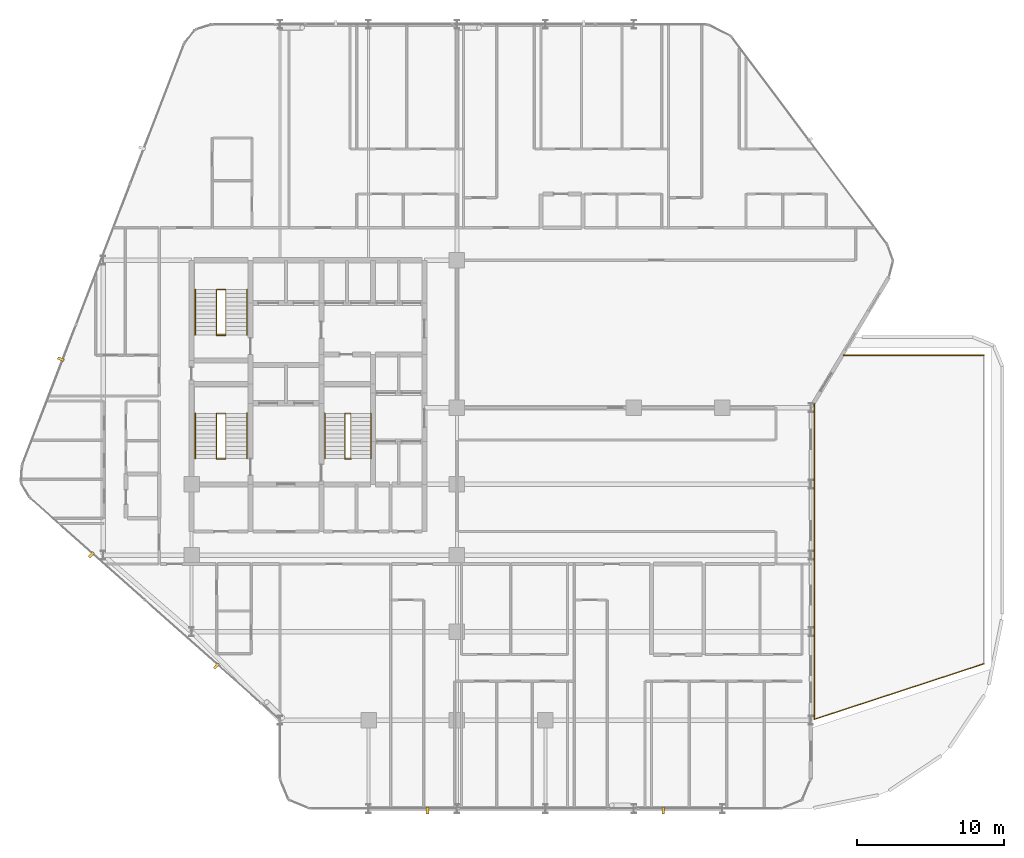
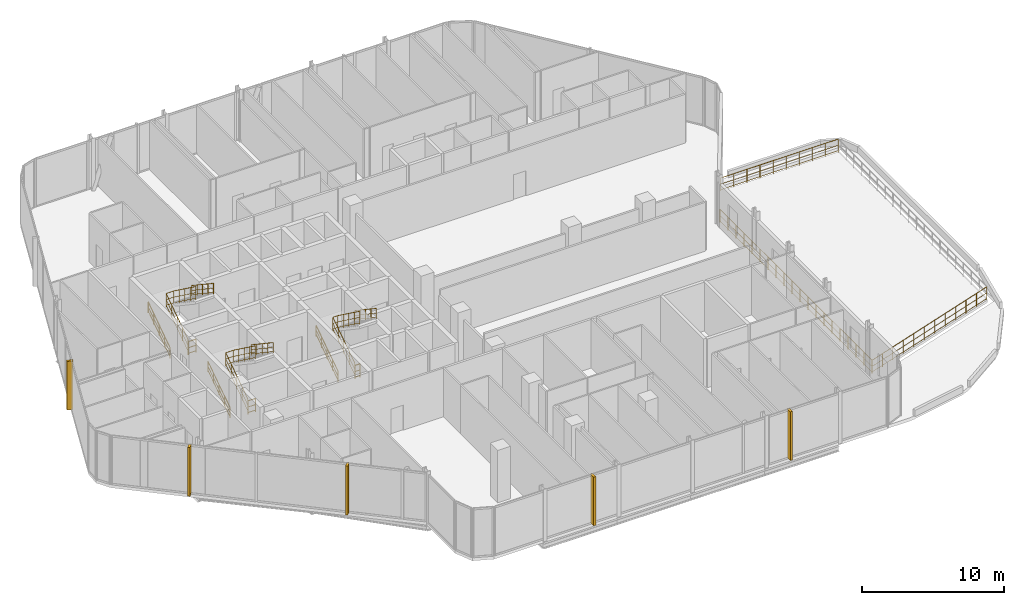
# One storey, part 29 of 30: 15 railings, 5 coverings.
"""IFC4 building model written with IfcOpenShell, lengths in metres."""

from ifc_helpers import new_model, si_unit, direction, frame, origin, origin_2d, place, context, subcontext, project, spatial, rectangle, circle, extrude, material, layer, layer_set, type_object, element, save


model = new_model("IFC4")

# Units and contexts
model_context = context("Model", 3, precision=1e-05, world=origin(), true_north=direction((0.0, 1.0)))
body_context = subcontext(model_context, "Body", "Model", "MODEL_VIEW")
ifc_project = project(units=[si_unit("LENGTHUNIT", "METRE"), si_unit("AREAUNIT", "SQUARE_METRE"), si_unit("VOLUMEUNIT", "CUBIC_METRE"), si_unit("PLANEANGLEUNIT", "RADIAN"), si_unit("MASSUNIT", "GRAM", prefix="KILO")], contexts=[model_context])

# Site, building, storey
site_placement = place(None, origin())
site = spatial("IfcSite", under=ifc_project, at=site_placement, CompositionType="ELEMENT")
building_placement = place(site_placement, origin())
building = spatial("IfcBuilding", under=site, at=building_placement, Name="Keshet Zoharim Tower", CompositionType="ELEMENT")
storey_placement = place(building_placement, frame((0.0, 0.0, 86.39990234375)))
storey = spatial("IfcBuildingStorey", under=building, at=storey_placement, Name="L20", CompositionType="ELEMENT", Elevation=86.39990234375)

# Coverings
ifc_material_1 = material(Name="Concrete C50/60 precast", Category="concrete")
covering_type = type_object("IfcCoveringType", Name="FIN-SOL-450", PredefinedType="CLADDING", material=ifc_material_1)
for number, where, z_axis, x_axis, name in (
    (1, (47.0, 0.574951171875, 0.0), (0.0, 0.0, 1.0), (-1.0, 0.0, 0.0), "L20 Vertical Precast Solar Fin 01"),
    (2, (31.0, 0.574951171875, 0.0), (0.0, 0.0, 1.0), (-1.0, 0.0, 0.0), "L20 Vertical Precast Solar Fin 02"),
    (3, (16.676025390625, 10.376953125, 0.0), (0.0, 0.0, 1.0), (-0.747409318679, 0.664363838836, 0.0), "L20 Vertical Precast Solar Fin 03"),
    (4, (8.193115234375, 17.9169921875, 0.0), (0.0, 0.0, 1.0), (-0.747409318679, 0.664363838836, 0.0), "L20 Vertical Precast Solar Fin 04"),
    (5, (6.133056640625, 31.194091796875, 0.0), (0.0, 0.0, 1.0), (0.358990003907, 0.933341404361, 0.0), "L20 Vertical Precast Solar Fin 05"),
):
    element("IfcCovering", number, at=place(storey_placement, frame(where, z_axis=z_axis, x_axis=x_axis)), inside=storey, type_object=covering_type, Name=name, PredefinedType="CLADDING", context=body_context, shape_type="SweptSolid", body=[
        extrude(rectangle(XDim=0.179931640625, YDim=0.449951171875, at=origin_2d()), origin(), (0.0, 0.0, 1.0), 4.18505859375),
    ])

# Railings
ifc_material_2 = material(Name="Steel S355", Category="steel")
ifc_layer_1 = layer(ifc_material_2, 0.050048828125)
ifc_layer_set_1 = layer_set([ifc_layer_1], Name="Steel S355")
railing_type_1 = type_object("IfcRailingType", Name="RL-HND-092", PredefinedType="HANDRAIL", material=ifc_layer_set_1)
railing_1_placement = place(storey_placement, frame((15.239990234375, 24.43994140625, 0.1875)))
element("IfcRailing", 6, at=railing_1_placement, inside=storey, type_object=railing_type_1, Name="L20 ST-01 Flight 1 Wall Handrail", PredefinedType="HANDRAIL", context=body_context, shape_type="SweptSolid", body=[
    extrude(circle(Radius=0.02392578125, at=origin_2d()), frame((0.0, 0.0, 0.89599609375), z_axis=(0.0, 0.830913701846, 0.55640131208), x_axis=(-1.0, 0.0, 0.0)), (0.0, 0.0, 1.0), 3.706787109375),
    extrude(circle(Radius=0.01611328125, at=origin_2d()), frame((0.0, 0.0, 0.478271484375), z_axis=(0.0, 0.830913701846, 0.55640131208), x_axis=(-1.0, 0.0, 0.0)), (0.0, 0.0, 1.0), 3.706787109375),
    extrude(circle(Radius=0.01611328125, at=origin_2d()), frame((0.0, 0.0, 0.1201171875), z_axis=(0.0, 0.830913701846, 0.55640131208), x_axis=(-1.0, 0.0, 0.0)), (0.0, 0.0, 1.0), 3.706787109375),
    extrude(circle(Radius=0.02099609375, at=origin_2d()), origin(), (0.0, 0.0, 1.0), 0.871826171875),
    extrude(circle(Radius=0.02099609375, at=origin_2d()), frame((0.0, 0.77001953125, 0.515625)), (0.0, 0.0, 1.0), 0.871826171875),
    extrude(circle(Radius=0.02099609375, at=origin_2d()), frame((0.0, 1.5400390625, 1.03125)), (0.0, 0.0, 1.0), 0.871826171875),
    extrude(circle(Radius=0.02099609375, at=origin_2d()), frame((0.0, 2.31005859375, 1.546875)), (0.0, 0.0, 1.0), 0.871826171875),
    extrude(circle(Radius=0.02099609375, at=origin_2d()), frame((0.0, 3.080078125, 2.0625)), (0.0, 0.0, 1.0), 0.871826171875),
])
railing_2_placement = place(storey_placement, frame((18.760009765625, 27.52001953125, 2.4375)))
element("IfcRailing", 7, at=railing_2_placement, inside=storey, type_object=railing_type_1, Name="L20 ST-01 Flight 2 Wall Handrail", PredefinedType="HANDRAIL", context=body_context, shape_type="SweptSolid", body=[
    extrude(circle(Radius=0.02392578125, at=origin_2d()), frame((0.0, 0.0, 0.89599609375), z_axis=(0.0, -0.830913701846, 0.55640131208), x_axis=(1.0, 0.0, 0.0)), (0.0, 0.0, 1.0), 3.706787109375),
    extrude(circle(Radius=0.01611328125, at=origin_2d()), frame((0.0, 0.0, 0.478271484375), z_axis=(0.0, -0.830913701846, 0.55640131208), x_axis=(1.0, 0.0, 0.0)), (0.0, 0.0, 1.0), 3.706787109375),
    extrude(circle(Radius=0.01611328125, at=origin_2d()), frame((0.0, 0.0, 0.1201171875), z_axis=(0.0, -0.830913701846, 0.55640131208), x_axis=(1.0, 0.0, 0.0)), (0.0, 0.0, 1.0), 3.706787109375),
    extrude(circle(Radius=0.02099609375, at=origin_2d()), origin(), (0.0, 0.0, 1.0), 0.871826171875),
    extrude(circle(Radius=0.02099609375, at=origin_2d()), frame((0.0, -0.77001953125, 0.515625)), (0.0, 0.0, 1.0), 0.871826171875),
    extrude(circle(Radius=0.02099609375, at=origin_2d()), frame((0.0, -1.5400390625, 1.03125)), (0.0, 0.0, 1.0), 0.871826171875),
    extrude(circle(Radius=0.02099609375, at=origin_2d()), frame((0.0, -2.31005859375, 1.546875)), (0.0, 0.0, 1.0), 0.871826171875),
    extrude(circle(Radius=0.02099609375, at=origin_2d()), frame((0.0, -3.080078125, 2.0625)), (0.0, 0.0, 1.0), 0.871826171875),
])
railing_3_placement = place(storey_placement, frame((15.239990234375, 32.840087890625, 0.1875)))
element("IfcRailing", 8, at=railing_3_placement, inside=storey, type_object=railing_type_1, Name="L20 ST-02 Flight 1 Wall Handrail", PredefinedType="HANDRAIL", context=body_context, shape_type="SweptSolid", body=[
    extrude(circle(Radius=0.02392578125, at=origin_2d()), frame((0.0, 0.0, 0.89599609375), z_axis=(0.0, 0.830893310487, 0.556431762742), x_axis=(-1.0, 0.0, 0.0)), (0.0, 0.0, 1.0), 3.70654296875),
    extrude(circle(Radius=0.01611328125, at=origin_2d()), frame((0.0, 0.0, 0.478271484375), z_axis=(0.0, 0.830893310487, 0.556431762742), x_axis=(-1.0, 0.0, 0.0)), (0.0, 0.0, 1.0), 3.70654296875),
    extrude(circle(Radius=0.01611328125, at=origin_2d()), frame((0.0, 0.0, 0.1201171875), z_axis=(0.0, 0.830893310487, 0.556431762742), x_axis=(-1.0, 0.0, 0.0)), (0.0, 0.0, 1.0), 3.70654296875),
    extrude(circle(Radius=0.02099609375, at=origin_2d()), origin(), (0.0, 0.0, 1.0), 0.871826171875),
    extrude(circle(Radius=0.02099609375, at=origin_2d()), frame((0.0, 0.77001953125, 0.515625)), (0.0, 0.0, 1.0), 0.871826171875),
    extrude(circle(Radius=0.02099609375, at=origin_2d()), frame((0.0, 1.5400390625, 1.03125)), (0.0, 0.0, 1.0), 0.871826171875),
    extrude(circle(Radius=0.02099609375, at=origin_2d()), frame((0.0, 2.309814453125, 1.546875)), (0.0, 0.0, 1.0), 0.871826171875),
    extrude(circle(Radius=0.02099609375, at=origin_2d()), frame((0.0, 3.079833984375, 2.0625)), (0.0, 0.0, 1.0), 0.871826171875),
])
railing_4_placement = place(storey_placement, frame((18.760009765625, 35.919921875, 2.4375)))
element("IfcRailing", 9, at=railing_4_placement, inside=storey, type_object=railing_type_1, Name="L20 ST-02 Flight 2 Wall Handrail", PredefinedType="HANDRAIL", context=body_context, shape_type="SweptSolid", body=[
    extrude(circle(Radius=0.02392578125, at=origin_2d()), frame((0.0, 0.0, 0.89599609375), z_axis=(0.0, -0.830893310487, 0.556431762742), x_axis=(1.0, 0.0, 0.0)), (0.0, 0.0, 1.0), 3.70654296875),
    extrude(circle(Radius=0.01611328125, at=origin_2d()), frame((0.0, 0.0, 0.478271484375), z_axis=(0.0, -0.830893310487, 0.556431762742), x_axis=(1.0, 0.0, 0.0)), (0.0, 0.0, 1.0), 3.70654296875),
    extrude(circle(Radius=0.01611328125, at=origin_2d()), frame((0.0, 0.0, 0.1201171875), z_axis=(0.0, -0.830893310487, 0.556431762742), x_axis=(1.0, 0.0, 0.0)), (0.0, 0.0, 1.0), 3.70654296875),
    extrude(circle(Radius=0.02099609375, at=origin_2d()), origin(), (0.0, 0.0, 1.0), 0.871826171875),
    extrude(circle(Radius=0.02099609375, at=origin_2d()), frame((0.0, -0.77001953125, 0.515625)), (0.0, 0.0, 1.0), 0.871826171875),
    extrude(circle(Radius=0.02099609375, at=origin_2d()), frame((0.0, -1.5400390625, 1.03125)), (0.0, 0.0, 1.0), 0.871826171875),
    extrude(circle(Radius=0.02099609375, at=origin_2d()), frame((0.0, -2.309814453125, 1.546875)), (0.0, 0.0, 1.0), 0.871826171875),
    extrude(circle(Radius=0.02099609375, at=origin_2d()), frame((0.0, -3.079833984375, 2.0625)), (0.0, 0.0, 1.0), 0.871826171875),
])
railing_5_placement = place(storey_placement, frame((24.0400390625, 24.43994140625, 0.1875)))
element("IfcRailing", 10, at=railing_5_placement, inside=storey, type_object=railing_type_1, Name="L20 ST-03 Flight 1 Wall Handrail", PredefinedType="HANDRAIL", context=body_context, shape_type="SweptSolid", body=[
    extrude(circle(Radius=0.02392578125, at=origin_2d()), frame((0.0, 0.0, 0.89599609375), z_axis=(0.0, 0.830913701846, 0.55640131208), x_axis=(-1.0, 0.0, 0.0)), (0.0, 0.0, 1.0), 3.706787109375),
    extrude(circle(Radius=0.01611328125, at=origin_2d()), frame((0.0, 0.0, 0.478271484375), z_axis=(0.0, 0.830913701846, 0.55640131208), x_axis=(-1.0, 0.0, 0.0)), (0.0, 0.0, 1.0), 3.706787109375),
    extrude(circle(Radius=0.01611328125, at=origin_2d()), frame((0.0, 0.0, 0.1201171875), z_axis=(0.0, 0.830913701846, 0.55640131208), x_axis=(-1.0, 0.0, 0.0)), (0.0, 0.0, 1.0), 3.706787109375),
    extrude(circle(Radius=0.02099609375, at=origin_2d()), origin(), (0.0, 0.0, 1.0), 0.871826171875),
    extrude(circle(Radius=0.02099609375, at=origin_2d()), frame((0.0, 0.77001953125, 0.515625)), (0.0, 0.0, 1.0), 0.871826171875),
    extrude(circle(Radius=0.02099609375, at=origin_2d()), frame((0.0, 1.5400390625, 1.03125)), (0.0, 0.0, 1.0), 0.871826171875),
    extrude(circle(Radius=0.02099609375, at=origin_2d()), frame((0.0, 2.31005859375, 1.546875)), (0.0, 0.0, 1.0), 0.871826171875),
    extrude(circle(Radius=0.02099609375, at=origin_2d()), frame((0.0, 3.080078125, 2.0625)), (0.0, 0.0, 1.0), 0.871826171875),
])
railing_6_placement = place(storey_placement, frame((27.159912109375, 27.52001953125, 2.4375)))
element("IfcRailing", 11, at=railing_6_placement, inside=storey, type_object=railing_type_1, Name="L20 ST-03 Flight 2 Wall Handrail", PredefinedType="HANDRAIL", context=body_context, shape_type="SweptSolid", body=[
    extrude(circle(Radius=0.02392578125, at=origin_2d()), frame((0.0, 0.0, 0.89599609375), z_axis=(0.0, -0.830913701846, 0.55640131208), x_axis=(1.0, 0.0, 0.0)), (0.0, 0.0, 1.0), 3.706787109375),
    extrude(circle(Radius=0.01611328125, at=origin_2d()), frame((0.0, 0.0, 0.478271484375), z_axis=(0.0, -0.830913701846, 0.55640131208), x_axis=(1.0, 0.0, 0.0)), (0.0, 0.0, 1.0), 3.706787109375),
    extrude(circle(Radius=0.01611328125, at=origin_2d()), frame((0.0, 0.0, 0.1201171875), z_axis=(0.0, -0.830913701846, 0.55640131208), x_axis=(1.0, 0.0, 0.0)), (0.0, 0.0, 1.0), 3.706787109375),
    extrude(circle(Radius=0.02099609375, at=origin_2d()), origin(), (0.0, 0.0, 1.0), 0.871826171875),
    extrude(circle(Radius=0.02099609375, at=origin_2d()), frame((0.0, -0.77001953125, 0.515625)), (0.0, 0.0, 1.0), 0.871826171875),
    extrude(circle(Radius=0.02099609375, at=origin_2d()), frame((0.0, -1.5400390625, 1.03125)), (0.0, 0.0, 1.0), 0.871826171875),
    extrude(circle(Radius=0.02099609375, at=origin_2d()), frame((0.0, -2.31005859375, 1.546875)), (0.0, 0.0, 1.0), 0.871826171875),
    extrude(circle(Radius=0.02099609375, at=origin_2d()), frame((0.0, -3.080078125, 2.0625)), (0.0, 0.0, 1.0), 0.871826171875),
])
ifc_layer_2 = layer(ifc_material_2, 0.06005859375)
ifc_layer_set_2 = layer_set([ifc_layer_2], Name="Steel S355")
railing_type_2 = type_object("IfcRailingType", Name="RL-STG-115", PredefinedType="GUARDRAIL", material=ifc_layer_set_2)
railing_7_placement = place(storey_placement, frame((16.68994140625, 24.43994140625, 0.1875)))
element("IfcRailing", 12, at=railing_7_placement, inside=storey, type_object=railing_type_2, Name="L20 ST-01 Inner Well Guardrail", PredefinedType="GUARDRAIL", context=body_context, shape_type="SweptSolid", body=[
    extrude(circle(Radius=0.02392578125, at=origin_2d()), frame((0.0, 0.0, 1.1259765625), z_axis=(0.0, 0.830913701846, 0.55640131208), x_axis=(-1.0, 0.0, 0.0)), (0.0, 0.0, 1.0), 3.706787109375),
    extrude(circle(Radius=0.01611328125, at=origin_2d()), frame((0.0, 0.0, 0.597900390625), z_axis=(0.0, 0.830913701846, 0.55640131208), x_axis=(-1.0, 0.0, 0.0)), (0.0, 0.0, 1.0), 3.706787109375),
    extrude(circle(Radius=0.01611328125, at=origin_2d()), frame((0.0, 0.0, 0.1201171875), z_axis=(0.0, 0.830913701846, 0.55640131208), x_axis=(-1.0, 0.0, 0.0)), (0.0, 0.0, 1.0), 3.706787109375),
    extrude(circle(Radius=0.02392578125, at=origin_2d()), frame((0.0, 3.080078125, 3.1884765625), z_axis=(1.0, 0.0, 0.0), x_axis=(0.0, 1.0, 0.0)), (0.0, 0.0, 1.0), 0.6201171875),
    extrude(circle(Radius=0.01611328125, at=origin_2d()), frame((0.0, 3.080078125, 2.660400390625), z_axis=(1.0, 0.0, 0.0), x_axis=(0.0, 1.0, 0.0)), (0.0, 0.0, 1.0), 0.6201171875),
    extrude(circle(Radius=0.01611328125, at=origin_2d()), frame((0.0, 3.080078125, 2.1826171875), z_axis=(1.0, 0.0, 0.0), x_axis=(0.0, 1.0, 0.0)), (0.0, 0.0, 1.0), 0.6201171875),
    extrude(circle(Radius=0.02392578125, at=origin_2d()), frame((0.6201171875, 3.080078125, 3.1884765625), z_axis=(0.0, -0.807494308864, 0.589875360692), x_axis=(1.0, 0.0, 0.0)), (0.0, 0.0, 1.0), 3.814453125),
    extrude(circle(Radius=0.01611328125, at=origin_2d()), frame((0.6201171875, 3.080078125, 2.660400390625), z_axis=(0.0, -0.807494308864, 0.589875360692), x_axis=(1.0, 0.0, 0.0)), (0.0, 0.0, 1.0), 3.814453125),
    extrude(circle(Radius=0.01611328125, at=origin_2d()), frame((0.6201171875, 3.080078125, 2.1826171875), z_axis=(0.0, -0.807494308864, 0.589875360692), x_axis=(1.0, 0.0, 0.0)), (0.0, 0.0, 1.0), 3.814453125),
    extrude(circle(Radius=0.02099609375, at=origin_2d()), origin(), (0.0, 0.0, 1.0), 1.101806640625),
    extrude(circle(Radius=0.02099609375, at=origin_2d()), frame((0.0, 0.77001953125, 0.515625)), (0.0, 0.0, 1.0), 1.101806640625),
    extrude(circle(Radius=0.02099609375, at=origin_2d()), frame((0.0, 1.5400390625, 1.03125)), (0.0, 0.0, 1.0), 1.101806640625),
    extrude(circle(Radius=0.02099609375, at=origin_2d()), frame((0.0, 2.31005859375, 1.546875)), (0.0, 0.0, 1.0), 1.101806640625),
    extrude(circle(Radius=0.02099609375, at=origin_2d()), frame((0.0, 3.080078125, 2.0625)), (0.0, 0.0, 1.0), 1.101806640625),
    extrude(circle(Radius=0.02099609375, at=origin_2d()), frame((0.6201171875, 3.080078125, 2.0625)), (0.0, 0.0, 1.0), 1.101806640625),
    extrude(circle(Radius=0.02099609375, at=origin_2d()), frame((0.6201171875, 2.31005859375, 2.625)), (0.0, 0.0, 1.0), 1.101806640625),
    extrude(circle(Radius=0.02099609375, at=origin_2d()), frame((0.6201171875, 1.5400390625, 3.1875)), (0.0, 0.0, 1.0), 1.101806640625),
    extrude(circle(Radius=0.02099609375, at=origin_2d()), frame((0.6201171875, 0.77001953125, 3.75)), (0.0, 0.0, 1.0), 1.101806640625),
    extrude(circle(Radius=0.02099609375, at=origin_2d()), frame((0.6201171875, 0.0, 4.3125)), (0.0, 0.0, 1.0), 1.101806640625),
])
railing_8_placement = place(storey_placement, frame((16.68994140625, 24.409912109375, 0.0)))
element("IfcRailing", 13, at=railing_8_placement, inside=storey, type_object=railing_type_2, Name="L20 ST-01 Stairwell Floor Guardrail", PredefinedType="GUARDRAIL", context=body_context, shape_type="SweptSolid", body=[
    extrude(circle(Radius=0.02392578125, at=origin_2d()), frame((0.0, 0.0, 1.1259765625), z_axis=(1.0, 0.0, 0.0), x_axis=(0.0, 1.0, 0.0)), (0.0, 0.0, 1.0), 0.6201171875),
    extrude(circle(Radius=0.01611328125, at=origin_2d()), frame((0.0, 0.0, 0.597900390625), z_axis=(1.0, 0.0, 0.0), x_axis=(0.0, 1.0, 0.0)), (0.0, 0.0, 1.0), 0.6201171875),
    extrude(circle(Radius=0.01611328125, at=origin_2d()), frame((0.0, 0.0, 0.1201171875), z_axis=(1.0, 0.0, 0.0), x_axis=(0.0, 1.0, 0.0)), (0.0, 0.0, 1.0), 0.6201171875),
    extrude(circle(Radius=0.02099609375, at=origin_2d()), origin(), (0.0, 0.0, 1.0), 1.101806640625),
    extrude(circle(Radius=0.02099609375, at=origin_2d()), frame((0.6201171875, 0.0, 0.0)), (0.0, 0.0, 1.0), 1.101806640625),
])
railing_9_placement = place(storey_placement, frame((16.68994140625, 32.840087890625, 0.1875)))
element("IfcRailing", 14, at=railing_9_placement, inside=storey, type_object=railing_type_2, Name="L20 ST-02 Inner Well Guardrail", PredefinedType="GUARDRAIL", context=body_context, shape_type="SweptSolid", body=[
    extrude(circle(Radius=0.02392578125, at=origin_2d()), frame((0.0, 0.0, 1.1259765625), z_axis=(0.0, 0.830893310487, 0.556431762742), x_axis=(-1.0, 0.0, 0.0)), (0.0, 0.0, 1.0), 3.70654296875),
    extrude(circle(Radius=0.01611328125, at=origin_2d()), frame((0.0, 0.0, 0.597900390625), z_axis=(0.0, 0.830893310487, 0.556431762742), x_axis=(-1.0, 0.0, 0.0)), (0.0, 0.0, 1.0), 3.70654296875),
    extrude(circle(Radius=0.01611328125, at=origin_2d()), frame((0.0, 0.0, 0.1201171875), z_axis=(0.0, 0.830893310487, 0.556431762742), x_axis=(-1.0, 0.0, 0.0)), (0.0, 0.0, 1.0), 3.70654296875),
    extrude(circle(Radius=0.02392578125, at=origin_2d()), frame((0.0, 3.079833984375, 3.1884765625), z_axis=(1.0, 0.0, 0.0), x_axis=(0.0, 1.0, 0.0)), (0.0, 0.0, 1.0), 0.6201171875),
    extrude(circle(Radius=0.01611328125, at=origin_2d()), frame((0.0, 3.079833984375, 2.660400390625), z_axis=(1.0, 0.0, 0.0), x_axis=(0.0, 1.0, 0.0)), (0.0, 0.0, 1.0), 0.6201171875),
    extrude(circle(Radius=0.01611328125, at=origin_2d()), frame((0.0, 3.079833984375, 2.1826171875), z_axis=(1.0, 0.0, 0.0), x_axis=(0.0, 1.0, 0.0)), (0.0, 0.0, 1.0), 0.6201171875),
    extrude(circle(Radius=0.02392578125, at=origin_2d()), frame((0.6201171875, 3.079833984375, 3.1884765625), z_axis=(0.0, -0.80747203621, 0.589905849046), x_axis=(1.0, 0.0, 0.0)), (0.0, 0.0, 1.0), 3.814208984375),
    extrude(circle(Radius=0.01611328125, at=origin_2d()), frame((0.6201171875, 3.079833984375, 2.660400390625), z_axis=(0.0, -0.80747203621, 0.589905849046), x_axis=(1.0, 0.0, 0.0)), (0.0, 0.0, 1.0), 3.814208984375),
    extrude(circle(Radius=0.01611328125, at=origin_2d()), frame((0.6201171875, 3.079833984375, 2.1826171875), z_axis=(0.0, -0.80747203621, 0.589905849046), x_axis=(1.0, 0.0, 0.0)), (0.0, 0.0, 1.0), 3.814208984375),
    extrude(circle(Radius=0.02099609375, at=origin_2d()), origin(), (0.0, 0.0, 1.0), 1.101806640625),
    extrude(circle(Radius=0.02099609375, at=origin_2d()), frame((0.0, 0.77001953125, 0.515625)), (0.0, 0.0, 1.0), 1.101806640625),
    extrude(circle(Radius=0.02099609375, at=origin_2d()), frame((0.0, 1.5400390625, 1.03125)), (0.0, 0.0, 1.0), 1.101806640625),
    extrude(circle(Radius=0.02099609375, at=origin_2d()), frame((0.0, 2.309814453125, 1.546875)), (0.0, 0.0, 1.0), 1.101806640625),
    extrude(circle(Radius=0.02099609375, at=origin_2d()), frame((0.0, 3.079833984375, 2.0625)), (0.0, 0.0, 1.0), 1.101806640625),
    extrude(circle(Radius=0.02099609375, at=origin_2d()), frame((0.6201171875, 3.079833984375, 2.0625)), (0.0, 0.0, 1.0), 1.101806640625),
    extrude(circle(Radius=0.02099609375, at=origin_2d()), frame((0.6201171875, 2.309814453125, 2.625)), (0.0, 0.0, 1.0), 1.101806640625),
    extrude(circle(Radius=0.02099609375, at=origin_2d()), frame((0.6201171875, 1.5400390625, 3.1875)), (0.0, 0.0, 1.0), 1.101806640625),
    extrude(circle(Radius=0.02099609375, at=origin_2d()), frame((0.6201171875, 0.77001953125, 3.75)), (0.0, 0.0, 1.0), 1.101806640625),
    extrude(circle(Radius=0.02099609375, at=origin_2d()), frame((0.6201171875, 0.0, 4.3125)), (0.0, 0.0, 1.0), 1.101806640625),
])
railing_10_placement = place(storey_placement, frame((16.68994140625, 32.81005859375, 0.0)))
element("IfcRailing", 15, at=railing_10_placement, inside=storey, type_object=railing_type_2, Name="L20 ST-02 Stairwell Floor Guardrail", PredefinedType="GUARDRAIL", context=body_context, shape_type="SweptSolid", body=[
    extrude(circle(Radius=0.02392578125, at=origin_2d()), frame((0.0, 0.0, 1.1259765625), z_axis=(1.0, 0.0, 0.0), x_axis=(0.0, 1.0, 0.0)), (0.0, 0.0, 1.0), 0.6201171875),
    extrude(circle(Radius=0.01611328125, at=origin_2d()), frame((0.0, 0.0, 0.597900390625), z_axis=(1.0, 0.0, 0.0), x_axis=(0.0, 1.0, 0.0)), (0.0, 0.0, 1.0), 0.6201171875),
    extrude(circle(Radius=0.01611328125, at=origin_2d()), frame((0.0, 0.0, 0.1201171875), z_axis=(1.0, 0.0, 0.0), x_axis=(0.0, 1.0, 0.0)), (0.0, 0.0, 1.0), 0.6201171875),
    extrude(circle(Radius=0.02099609375, at=origin_2d()), origin(), (0.0, 0.0, 1.0), 1.101806640625),
    extrude(circle(Radius=0.02099609375, at=origin_2d()), frame((0.6201171875, 0.0, 0.0)), (0.0, 0.0, 1.0), 1.101806640625),
])
railing_11_placement = place(storey_placement, frame((25.39990234375, 24.43994140625, 0.1875)))
element("IfcRailing", 16, at=railing_11_placement, inside=storey, type_object=railing_type_2, Name="L20 ST-03 Inner Well Guardrail", PredefinedType="GUARDRAIL", context=body_context, shape_type="SweptSolid", body=[
    extrude(circle(Radius=0.02392578125, at=origin_2d()), frame((0.0, 0.0, 1.1259765625), z_axis=(0.0, 0.830913701846, 0.55640131208), x_axis=(-1.0, 0.0, 0.0)), (0.0, 0.0, 1.0), 3.706787109375),
    extrude(circle(Radius=0.01611328125, at=origin_2d()), frame((0.0, 0.0, 0.597900390625), z_axis=(0.0, 0.830913701846, 0.55640131208), x_axis=(-1.0, 0.0, 0.0)), (0.0, 0.0, 1.0), 3.706787109375),
    extrude(circle(Radius=0.01611328125, at=origin_2d()), frame((0.0, 0.0, 0.1201171875), z_axis=(0.0, 0.830913701846, 0.55640131208), x_axis=(-1.0, 0.0, 0.0)), (0.0, 0.0, 1.0), 3.706787109375),
    extrude(circle(Radius=0.02392578125, at=origin_2d()), frame((0.0, 3.080078125, 3.1884765625), z_axis=(1.0, 0.0, 0.0), x_axis=(0.0, 1.0, 0.0)), (0.0, 0.0, 1.0), 0.400146484375),
    extrude(circle(Radius=0.01611328125, at=origin_2d()), frame((0.0, 3.080078125, 2.660400390625), z_axis=(1.0, 0.0, 0.0), x_axis=(0.0, 1.0, 0.0)), (0.0, 0.0, 1.0), 0.400146484375),
    extrude(circle(Radius=0.01611328125, at=origin_2d()), frame((0.0, 3.080078125, 2.1826171875), z_axis=(1.0, 0.0, 0.0), x_axis=(0.0, 1.0, 0.0)), (0.0, 0.0, 1.0), 0.400146484375),
    extrude(circle(Radius=0.02392578125, at=origin_2d()), frame((0.400146484375, 3.080078125, 3.1884765625), z_axis=(0.0, -0.807494308864, 0.589875360692), x_axis=(1.0, 0.0, 0.0)), (0.0, 0.0, 1.0), 3.814453125),
    extrude(circle(Radius=0.01611328125, at=origin_2d()), frame((0.400146484375, 3.080078125, 2.660400390625), z_axis=(0.0, -0.807494308864, 0.589875360692), x_axis=(1.0, 0.0, 0.0)), (0.0, 0.0, 1.0), 3.814453125),
    extrude(circle(Radius=0.01611328125, at=origin_2d()), frame((0.400146484375, 3.080078125, 2.1826171875), z_axis=(0.0, -0.807494308864, 0.589875360692), x_axis=(1.0, 0.0, 0.0)), (0.0, 0.0, 1.0), 3.814453125),
    extrude(circle(Radius=0.02099609375, at=origin_2d()), origin(), (0.0, 0.0, 1.0), 1.101806640625),
    extrude(circle(Radius=0.02099609375, at=origin_2d()), frame((0.0, 0.77001953125, 0.515625)), (0.0, 0.0, 1.0), 1.101806640625),
    extrude(circle(Radius=0.02099609375, at=origin_2d()), frame((0.0, 1.5400390625, 1.03125)), (0.0, 0.0, 1.0), 1.101806640625),
    extrude(circle(Radius=0.02099609375, at=origin_2d()), frame((0.0, 2.31005859375, 1.546875)), (0.0, 0.0, 1.0), 1.101806640625),
    extrude(circle(Radius=0.02099609375, at=origin_2d()), frame((0.0, 3.080078125, 2.0625)), (0.0, 0.0, 1.0), 1.101806640625),
    extrude(circle(Radius=0.02099609375, at=origin_2d()), frame((0.400146484375, 3.080078125, 2.0625)), (0.0, 0.0, 1.0), 1.101806640625),
    extrude(circle(Radius=0.02099609375, at=origin_2d()), frame((0.400146484375, 2.31005859375, 2.625)), (0.0, 0.0, 1.0), 1.101806640625),
    extrude(circle(Radius=0.02099609375, at=origin_2d()), frame((0.400146484375, 1.5400390625, 3.1875)), (0.0, 0.0, 1.0), 1.101806640625),
    extrude(circle(Radius=0.02099609375, at=origin_2d()), frame((0.400146484375, 0.77001953125, 3.75)), (0.0, 0.0, 1.0), 1.101806640625),
    extrude(circle(Radius=0.02099609375, at=origin_2d()), frame((0.400146484375, 0.0, 4.3125)), (0.0, 0.0, 1.0), 1.101806640625),
])
railing_12_placement = place(storey_placement, frame((25.39990234375, 24.409912109375, 0.0)))
element("IfcRailing", 17, at=railing_12_placement, inside=storey, type_object=railing_type_2, Name="L20 ST-03 Stairwell Floor Guardrail", PredefinedType="GUARDRAIL", context=body_context, shape_type="SweptSolid", body=[
    extrude(circle(Radius=0.02392578125, at=origin_2d()), frame((0.0, 0.0, 1.1259765625), z_axis=(1.0, 0.0, 0.0), x_axis=(0.0, 1.0, 0.0)), (0.0, 0.0, 1.0), 0.400146484375),
    extrude(circle(Radius=0.01611328125, at=origin_2d()), frame((0.0, 0.0, 0.597900390625), z_axis=(1.0, 0.0, 0.0), x_axis=(0.0, 1.0, 0.0)), (0.0, 0.0, 1.0), 0.400146484375),
    extrude(circle(Radius=0.01611328125, at=origin_2d()), frame((0.0, 0.0, 0.1201171875), z_axis=(1.0, 0.0, 0.0), x_axis=(0.0, 1.0, 0.0)), (0.0, 0.0, 1.0), 0.400146484375),
    extrude(circle(Radius=0.02099609375, at=origin_2d()), origin(), (0.0, 0.0, 1.0), 1.101806640625),
    extrude(circle(Radius=0.02099609375, at=origin_2d()), frame((0.400146484375, 0.0, 0.0)), (0.0, 0.0, 1.0), 1.101806640625),
])
ifc_layer_3 = layer(ifc_material_2, 0.070068359375)
ifc_layer_set_3 = layer_set([ifc_layer_3], Name="Steel S355")
railing_type_3 = type_object("IfcRailingType", Name="RL-TER-115", PredefinedType="GUARDRAIL", material=ifc_layer_set_3)
railing_13_placement = place(storey_placement, frame((68.760009765625, 10.529052734375, 0.0)))
element("IfcRailing", 18, at=railing_13_placement, inside=storey, type_object=railing_type_3, Name="L20 Terrace Perimeter Guardrail 02", PredefinedType="GUARDRAIL", context=body_context, shape_type="SweptSolid", body=[
    extrude(circle(Radius=0.02392578125, at=origin_2d()), frame((0.0, 0.0, 1.1259765625), z_axis=(-0.950299987628, -0.311335724765, 0.0), x_axis=(0.311335724765, -0.950299987628, 0.0)), (0.0, 0.0, 1.0), 12.12255859375),
    extrude(circle(Radius=0.01611328125, at=origin_2d()), frame((0.0, 0.0, 0.597900390625), z_axis=(-0.950299987628, -0.311335724765, 0.0), x_axis=(0.311335724765, -0.950299987628, 0.0)), (0.0, 0.0, 1.0), 12.12255859375),
    extrude(circle(Radius=0.01611328125, at=origin_2d()), frame((0.0, 0.0, 0.1201171875), z_axis=(-0.950299987628, -0.311335724765, 0.0), x_axis=(0.311335724765, -0.950299987628, 0.0)), (0.0, 0.0, 1.0), 12.12255859375),
    extrude(circle(Radius=0.02099609375, at=origin_2d()), origin(), (0.0, 0.0, 1.0), 1.101806640625),
    extrude(circle(Radius=0.02099609375, at=origin_2d()), frame((-1.04736328125, -0.343017578125, 0.0)), (0.0, 0.0, 1.0), 1.101806640625),
    extrude(circle(Radius=0.02099609375, at=origin_2d()), frame((-2.094482421875, -0.686279296875, 0.0)), (0.0, 0.0, 1.0), 1.101806640625),
    extrude(circle(Radius=0.02099609375, at=origin_2d()), frame((-3.141845703125, -1.029296875, 0.0)), (0.0, 0.0, 1.0), 1.101806640625),
    extrude(circle(Radius=0.02099609375, at=origin_2d()), frame((-4.189208984375, -1.372314453125, 0.0)), (0.0, 0.0, 1.0), 1.101806640625),
    extrude(circle(Radius=0.02099609375, at=origin_2d()), frame((-5.236328125, -1.715576171875, 0.0)), (0.0, 0.0, 1.0), 1.101806640625),
    extrude(circle(Radius=0.02099609375, at=origin_2d()), frame((-6.28369140625, -2.05859375, 0.0)), (0.0, 0.0, 1.0), 1.101806640625),
    extrude(circle(Radius=0.02099609375, at=origin_2d()), frame((-7.330810546875, -2.40185546875, 0.0)), (0.0, 0.0, 1.0), 1.101806640625),
    extrude(circle(Radius=0.02099609375, at=origin_2d()), frame((-8.378173828125, -2.744873046875, 0.0)), (0.0, 0.0, 1.0), 1.101806640625),
    extrude(circle(Radius=0.02099609375, at=origin_2d()), frame((-9.425537109375, -3.087890625, 0.0)), (0.0, 0.0, 1.0), 1.101806640625),
    extrude(circle(Radius=0.02099609375, at=origin_2d()), frame((-10.47265625, -3.43115234375, 0.0)), (0.0, 0.0, 1.0), 1.101806640625),
    extrude(circle(Radius=0.02099609375, at=origin_2d()), frame((-11.52001953125, -3.774169921875, 0.0)), (0.0, 0.0, 1.0), 1.101806640625),
])
railing_14_placement = place(storey_placement, frame((57.239990234375, 6.7548828125, 0.0)))
element("IfcRailing", 19, at=railing_14_placement, inside=storey, type_object=railing_type_3, Name="L20 Terrace Perimeter Guardrail 03", PredefinedType="GUARDRAIL", context=body_context, shape_type="SweptSolid", body=[
    extrude(circle(Radius=0.02392578125, at=origin_2d()), frame((0.0, 0.0, 1.1259765625), z_axis=(0.0, 1.0, 0.0), x_axis=(-1.0, 0.0, 0.0)), (0.0, 0.0, 1.0), 21.4091796875),
    extrude(circle(Radius=0.01611328125, at=origin_2d()), frame((0.0, 0.0, 0.597900390625), z_axis=(0.0, 1.0, 0.0), x_axis=(-1.0, 0.0, 0.0)), (0.0, 0.0, 1.0), 21.4091796875),
    extrude(circle(Radius=0.01611328125, at=origin_2d()), frame((0.0, 0.0, 0.1201171875), z_axis=(0.0, 1.0, 0.0), x_axis=(-1.0, 0.0, 0.0)), (0.0, 0.0, 1.0), 21.4091796875),
    extrude(circle(Radius=0.02099609375, at=origin_2d()), origin(), (0.0, 0.0, 1.0), 1.101806640625),
    extrude(circle(Radius=0.02099609375, at=origin_2d()), frame((0.0, 1.126708984375, 0.0)), (0.0, 0.0, 1.0), 1.101806640625),
    extrude(circle(Radius=0.02099609375, at=origin_2d()), frame((0.0, 2.253662109375, 0.0)), (0.0, 0.0, 1.0), 1.101806640625),
    extrude(circle(Radius=0.02099609375, at=origin_2d()), frame((0.0, 3.38037109375, 0.0)), (0.0, 0.0, 1.0), 1.101806640625),
    extrude(circle(Radius=0.02099609375, at=origin_2d()), frame((0.0, 4.507080078125, 0.0)), (0.0, 0.0, 1.0), 1.101806640625),
    extrude(circle(Radius=0.02099609375, at=origin_2d()), frame((0.0, 5.634033203125, 0.0)), (0.0, 0.0, 1.0), 1.101806640625),
    extrude(circle(Radius=0.02099609375, at=origin_2d()), frame((0.0, 6.7607421875, 0.0)), (0.0, 0.0, 1.0), 1.101806640625),
    extrude(circle(Radius=0.02099609375, at=origin_2d()), frame((0.0, 7.8876953125, 0.0)), (0.0, 0.0, 1.0), 1.101806640625),
    extrude(circle(Radius=0.02099609375, at=origin_2d()), frame((0.0, 9.014404296875, 0.0)), (0.0, 0.0, 1.0), 1.101806640625),
    extrude(circle(Radius=0.02099609375, at=origin_2d()), frame((0.0, 10.14111328125, 0.0)), (0.0, 0.0, 1.0), 1.101806640625),
    extrude(circle(Radius=0.02099609375, at=origin_2d()), frame((0.0, 11.26806640625, 0.0)), (0.0, 0.0, 1.0), 1.101806640625),
    extrude(circle(Radius=0.02099609375, at=origin_2d()), frame((0.0, 12.394775390625, 0.0)), (0.0, 0.0, 1.0), 1.101806640625),
    extrude(circle(Radius=0.02099609375, at=origin_2d()), frame((0.0, 13.521484375, 0.0)), (0.0, 0.0, 1.0), 1.101806640625),
    extrude(circle(Radius=0.02099609375, at=origin_2d()), frame((0.0, 14.6484375, 0.0)), (0.0, 0.0, 1.0), 1.101806640625),
    extrude(circle(Radius=0.02099609375, at=origin_2d()), frame((0.0, 15.775146484375, 0.0)), (0.0, 0.0, 1.0), 1.101806640625),
    extrude(circle(Radius=0.02099609375, at=origin_2d()), frame((0.0, 16.902099609375, 0.0)), (0.0, 0.0, 1.0), 1.101806640625),
    extrude(circle(Radius=0.02099609375, at=origin_2d()), frame((0.0, 18.02880859375, 0.0)), (0.0, 0.0, 1.0), 1.101806640625),
    extrude(circle(Radius=0.02099609375, at=origin_2d()), frame((0.0, 19.155517578125, 0.0)), (0.0, 0.0, 1.0), 1.101806640625),
    extrude(circle(Radius=0.02099609375, at=origin_2d()), frame((0.0, 20.282470703125, 0.0)), (0.0, 0.0, 1.0), 1.101806640625),
    extrude(circle(Radius=0.02099609375, at=origin_2d()), frame((0.0, 21.4091796875, 0.0)), (0.0, 0.0, 1.0), 1.101806640625),
])
railing_15_placement = place(storey_placement, frame((59.218017578125, 31.4599609375, 0.0)))
element("IfcRailing", 20, at=railing_15_placement, inside=storey, type_object=railing_type_3, Name="L20 Terrace Perimeter Guardrail 04", PredefinedType="GUARDRAIL", context=body_context, shape_type="SweptSolid", body=[
    extrude(circle(Radius=0.02392578125, at=origin_2d()), frame((0.0, 0.0, 1.1259765625), z_axis=(1.0, 0.0, 0.0), x_axis=(0.0, 1.0, 0.0)), (0.0, 0.0, 1.0), 9.5419921875),
    extrude(circle(Radius=0.01611328125, at=origin_2d()), frame((0.0, 0.0, 0.597900390625), z_axis=(1.0, 0.0, 0.0), x_axis=(0.0, 1.0, 0.0)), (0.0, 0.0, 1.0), 9.5419921875),
    extrude(circle(Radius=0.01611328125, at=origin_2d()), frame((0.0, 0.0, 0.1201171875), z_axis=(1.0, 0.0, 0.0), x_axis=(0.0, 1.0, 0.0)), (0.0, 0.0, 1.0), 9.5419921875),
    extrude(circle(Radius=0.02099609375, at=origin_2d()), origin(), (0.0, 0.0, 1.0), 1.101806640625),
    extrude(circle(Radius=0.02099609375, at=origin_2d()), frame((1.060302734375, 0.0, 0.0)), (0.0, 0.0, 1.0), 1.101806640625),
    extrude(circle(Radius=0.02099609375, at=origin_2d()), frame((2.120361328125, 0.0, 0.0)), (0.0, 0.0, 1.0), 1.101806640625),
    extrude(circle(Radius=0.02099609375, at=origin_2d()), frame((3.1806640625, 0.0, 0.0)), (0.0, 0.0, 1.0), 1.101806640625),
    extrude(circle(Radius=0.02099609375, at=origin_2d()), frame((4.240966796875, 0.0, 0.0)), (0.0, 0.0, 1.0), 1.101806640625),
    extrude(circle(Radius=0.02099609375, at=origin_2d()), frame((5.301025390625, 0.0, 0.0)), (0.0, 0.0, 1.0), 1.101806640625),
    extrude(circle(Radius=0.02099609375, at=origin_2d()), frame((6.361328125, 0.0, 0.0)), (0.0, 0.0, 1.0), 1.101806640625),
    extrude(circle(Radius=0.02099609375, at=origin_2d()), frame((7.421630859375, 0.0, 0.0)), (0.0, 0.0, 1.0), 1.101806640625),
    extrude(circle(Radius=0.02099609375, at=origin_2d()), frame((8.481689453125, 0.0, 0.0)), (0.0, 0.0, 1.0), 1.101806640625),
    extrude(circle(Radius=0.02099609375, at=origin_2d()), frame((9.5419921875, 0.0, 0.0)), (0.0, 0.0, 1.0), 1.101806640625),
])

save(model, "model.ifc")
